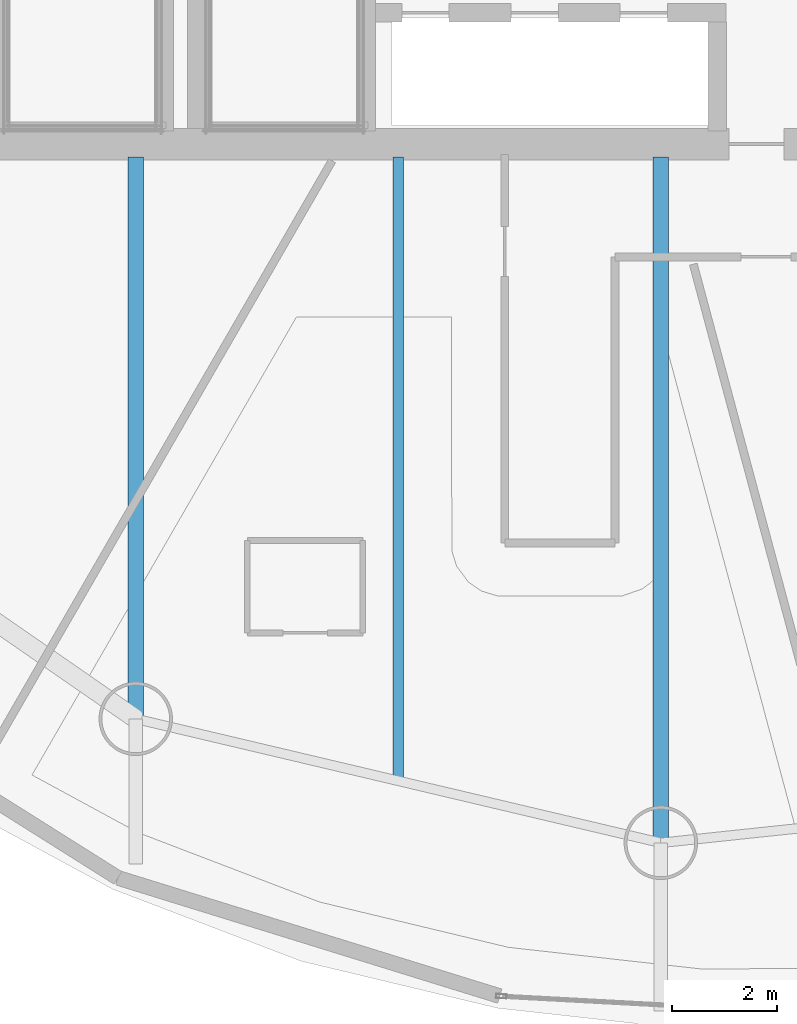
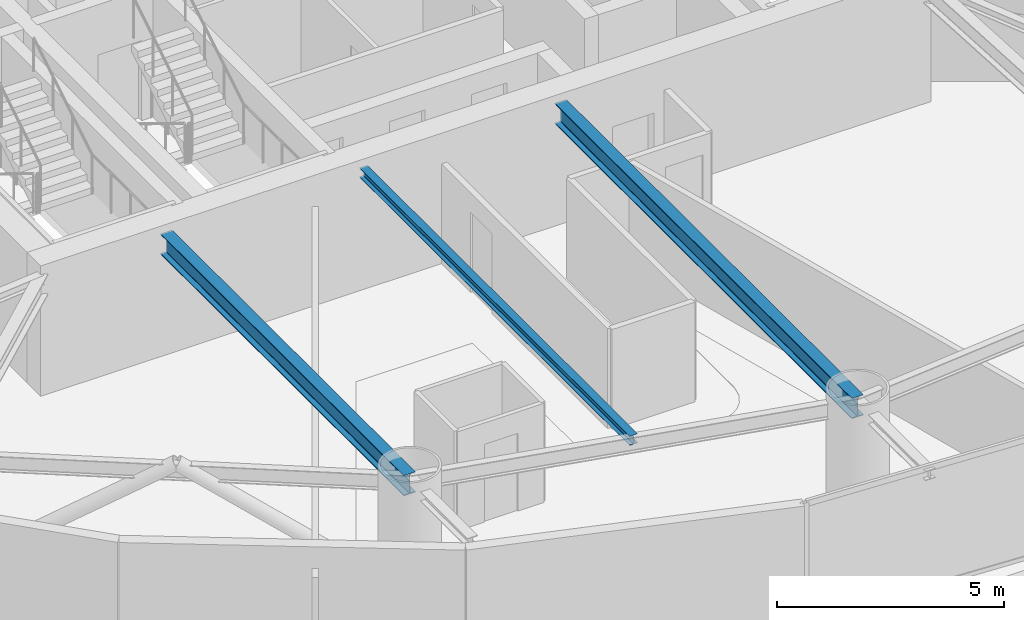
# One storey, part 3 of 20: 3 beams.
"""IFC4 building model written with IfcOpenShell, lengths in metres."""

from ifc_helpers import new_model, si_unit, direction, frame, origin, origin_2d, place, context, subcontext, project, spatial, i_section, extrude, material, material_profile, profile_set, type_object, element, save


model = new_model("IFC4")

# Units and contexts
model_context = context("Model", 3, precision=1e-05, world=origin(), true_north=direction((0.0, 1.0)))
body_context = subcontext(model_context, "Body", "Model", "MODEL_VIEW")
ifc_project = project(units=[si_unit("LENGTHUNIT", "METRE"), si_unit("AREAUNIT", "SQUARE_METRE"), si_unit("VOLUMEUNIT", "CUBIC_METRE"), si_unit("PLANEANGLEUNIT", "RADIAN"), si_unit("MASSUNIT", "GRAM", prefix="KILO")], contexts=[model_context])

# Site, building, storey
site_placement = place(None, origin())
site = spatial("IfcSite", under=ifc_project, at=site_placement, CompositionType="ELEMENT")
building_placement = place(site_placement, origin())
building = spatial("IfcBuilding", under=site, at=building_placement, Name="Bramvorn Convention Spire", CompositionType="ELEMENT")
storey_placement = place(building_placement, frame((0.0, 0.0, 130.800048828125)))
storey = spatial("IfcBuildingStorey", under=building, at=storey_placement, Name="L32", CompositionType="ELEMENT", Elevation=130.800048828125)

# Beams
ifc_material = material(Name="Steel CSA G40.21 Grade 350 (350W)", Category="steel")
ifc_material_profile_1 = material_profile(ifc_material, i_section(OverallWidth=0.201904296875, OverallDepth=0.2470703125, WebThickness=0.00732421875, FlangeThickness=0.010986328125, FilletRadius=0.011962890625, at=origin_2d()))
ifc_profile_set_1 = profile_set([ifc_material_profile_1], Name="Steel CSA G40.21 Grade 350 (350W) - W250X49")
beam_type_1 = type_object("IfcBeamType", Name="BM-W250X49", PredefinedType="JOIST", material=ifc_profile_set_1)
beam_1_placement = place(storey_placement, frame((34.920654296875, 18.550048828125, 3.136474609375), z_axis=(0.0, -1.0, 0.0), x_axis=(1.0, 0.0, 0.0)))
element("IfcBeam", 1, at=beam_1_placement, inside=storey, type_object=beam_type_1, Name="L32 composite floor joist 13", PredefinedType="JOIST", context=body_context, shape_type="SweptSolid", body=[
    extrude(i_section(OverallWidth=0.201904296875, OverallDepth=0.2470703125, WebThickness=0.00732421875, FlangeThickness=0.010986328125, FilletRadius=0.011962890625, at=origin_2d()), origin(), (0.0, 0.0, 1.0), 11.8857421875),
])
ifc_material_profile_2 = material_profile(ifc_material, i_section(OverallWidth=0.2919921875, OverallDepth=0.551025390625, WebThickness=0.01513671875, FlangeThickness=0.0244140625, FilletRadius=0.01904296875, at=origin_2d()))
ifc_profile_set_2 = profile_set([ifc_material_profile_2], Name="Steel CSA G40.21 Grade 350 (350W) - W530X182")
beam_type_2 = type_object("IfcBeamType", Name="BM-W530X182", PredefinedType="BEAM", material=ifc_profile_set_2)
beam_2_placement = place(storey_placement, frame((29.917236328125, 18.550048828125, 2.984375), z_axis=(0.0, -1.0, 0.0), x_axis=(1.0, 0.0, 0.0)))
element("IfcBeam", 2, at=beam_2_placement, inside=storey, type_object=beam_type_2, Name="L32 radial floor girder MC13", PredefinedType="BEAM", context=body_context, shape_type="SweptSolid", body=[
    extrude(i_section(OverallWidth=0.2919921875, OverallDepth=0.551025390625, WebThickness=0.01513671875, FlangeThickness=0.0244140625, FilletRadius=0.01904296875, at=origin_2d()), origin(), (0.0, 0.0, 1.0), 10.7041015625),
])
beam_3_placement = place(storey_placement, frame((39.924072265625, 18.550048828125, 2.984375), z_axis=(0.0, -1.0, 0.0), x_axis=(1.0, 0.0, 0.0)))
element("IfcBeam", 3, at=beam_3_placement, inside=storey, type_object=beam_type_2, Name="L32 radial floor girder MC14", PredefinedType="BEAM", context=body_context, shape_type="SweptSolid", body=[
    extrude(i_section(OverallWidth=0.2919921875, OverallDepth=0.551025390625, WebThickness=0.01513671875, FlangeThickness=0.0244140625, FilletRadius=0.01904296875, at=origin_2d()), origin(), (0.0, 0.0, 1.0), 13.0673828125),
])

save(model, "model.ifc")
